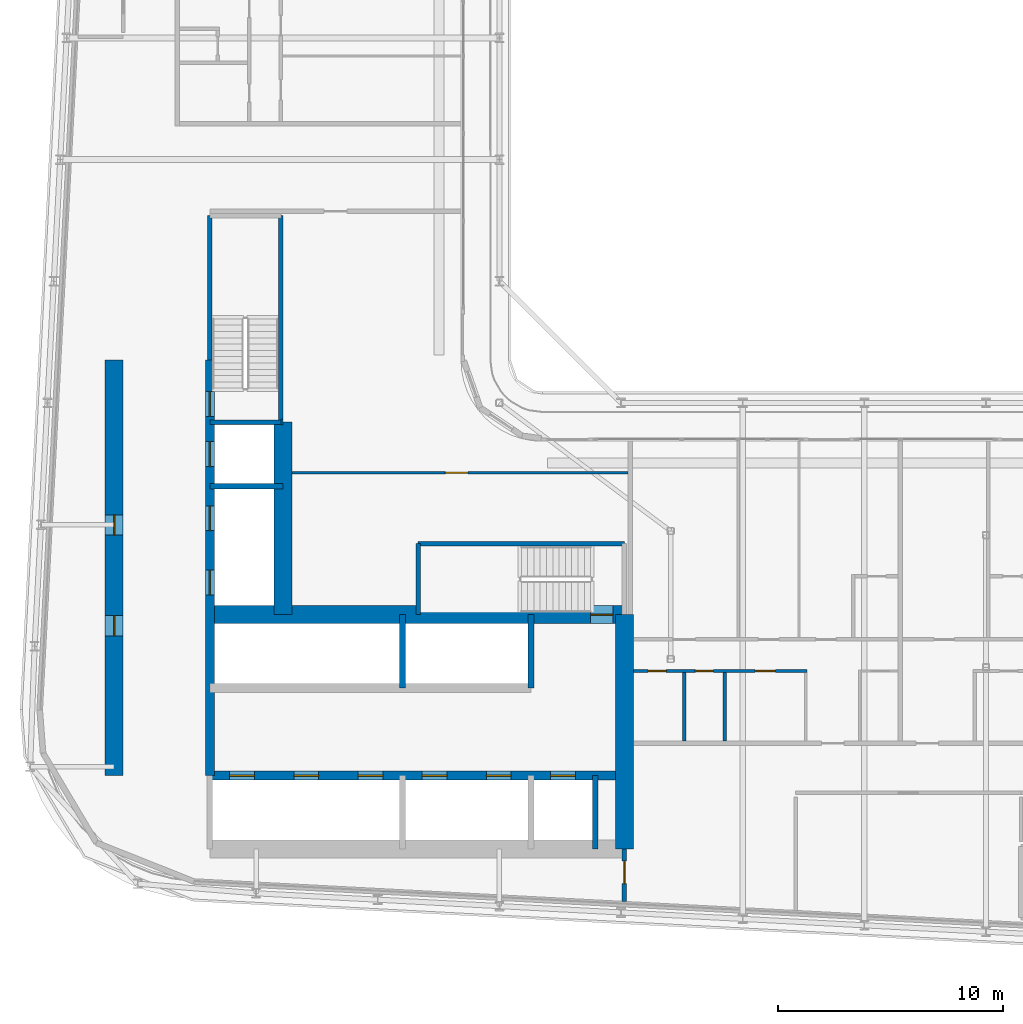
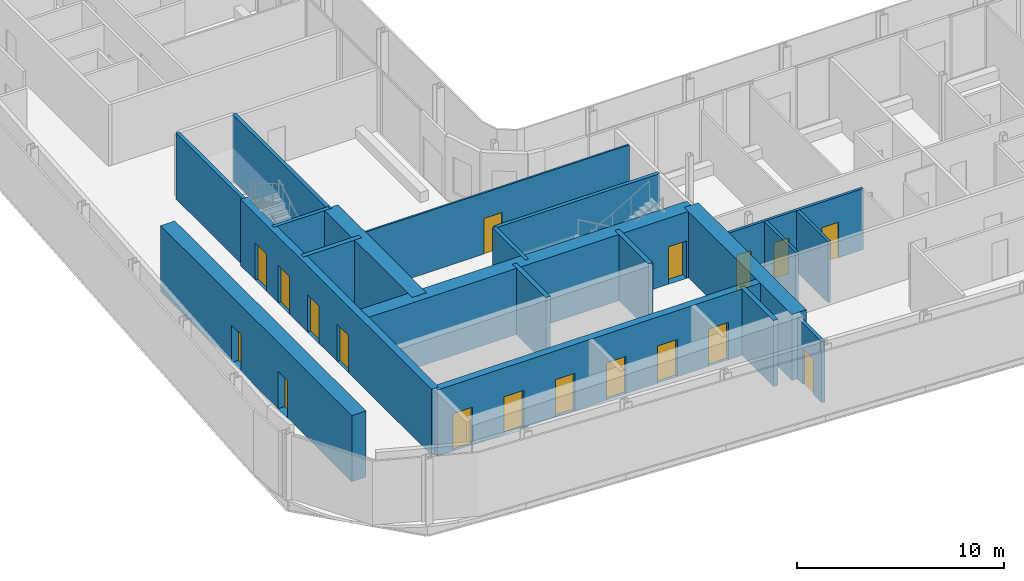
# One storey, part 14 of 29: 21 walls, 18 doors, 18 openings.
"""IFC4 building model written with IfcOpenShell, lengths in metres."""

from ifc_helpers import new_model, si_unit, direction, frame, frame_2d, origin, place, context, subcontext, project, spatial, rectangle, extrude, source, transform, mapped, material, layer, layer_set, type_object, element, fill, save


model = new_model("IFC4")

# Units and contexts
model_context = context("Model", 3, precision=1e-05, world=origin(), true_north=direction((0.0, 1.0)))
body_context = subcontext(model_context, "Body", "Model", "MODEL_VIEW")
ifc_project = project(units=[si_unit("LENGTHUNIT", "METRE"), si_unit("AREAUNIT", "SQUARE_METRE"), si_unit("VOLUMEUNIT", "CUBIC_METRE"), si_unit("PLANEANGLEUNIT", "RADIAN"), si_unit("MASSUNIT", "GRAM", prefix="KILO")], contexts=[model_context])

# Site, building, storey
site_placement = place(None, origin())
site = spatial("IfcSite", under=ifc_project, at=site_placement, CompositionType="ELEMENT")
building_placement = place(site_placement, origin())
building = spatial("IfcBuilding", under=site, at=building_placement, Name="Kheshtan School and Residences Tower", CompositionType="ELEMENT")
storey_placement = place(building_placement, frame((0.0, 0.0, 183.800048828125)))
storey = spatial("IfcBuildingStorey", under=building, at=storey_placement, Name="L43", CompositionType="ELEMENT", Elevation=183.800048828125)

# Wall, openings, doors
ifc_material_1 = material(Name="Concrete C50/60", Category="concrete")
ifc_layer_1 = layer(ifc_material_1, 0.39990234375)
ifc_layer_set_1 = layer_set([ifc_layer_1], Name="Core wall 400 Concrete C50/60")
wall_type_1 = type_object("IfcWallType", Name="Core wall 400 Concrete C50/60", PredefinedType="SHEAR", material=ifc_layer_set_1)
wall_1_placement = place(storey_placement, frame((34.75, 29.050048828125, 0.0), z_axis=(0.0, 0.0, 1.0), x_axis=(1.0, 0.0, 0.0)))
wall_1 = element("IfcWall", 1, at=wall_1_placement, inside=storey, type_object=wall_type_1, Name="Core wall CW-HALL-S1", PredefinedType="SHEAR", context=body_context, shape_type="SweptSolid", body=[
    extrude(rectangle(XDim=18.39990234375, YDim=0.39990234375, at=frame_2d((9.199951171875, 0.0))), origin(), (0.0, 0.0, 1.0), 3.89990234375),
])
opening_1_placement = place(wall_1_placement, frame((0.875, 0.0, 0.0)))
opening_1 = element("IfcOpeningElement", 2, at=opening_1_placement, cuts=wall_1, Name="Opening LD", PredefinedType="OPENING", context=body_context, shape_type="SweptSolid", body=[
    extrude(rectangle(XDim=1.10009765625, YDim=2.199951171875, at=frame_2d((0.550048828125, 1.10009765625))), frame((0.0, 0.2099609375, 0.0), z_axis=(0.0, -1.0, 0.0), x_axis=(1.0, 0.0, 0.0)), (0.0, 0.0, 1.0), 0.419921875),
])
opening_2_placement = place(wall_1_placement, frame((3.72509765625, 0.0, 0.0)))
opening_2 = element("IfcOpeningElement", 3, at=opening_2_placement, cuts=wall_1, Name="Opening LD", PredefinedType="OPENING", context=body_context, shape_type="SweptSolid", body=[
    extrude(rectangle(XDim=1.10009765625, YDim=2.199951171875, at=frame_2d((0.550048828125, 1.10009765625))), frame((0.0, 0.2099609375, 0.0), z_axis=(0.0, -1.0, 0.0), x_axis=(1.0, 0.0, 0.0)), (0.0, 0.0, 1.0), 0.419921875),
])
opening_3_placement = place(wall_1_placement, frame((6.574951171875, 0.0, 0.0)))
opening_3 = element("IfcOpeningElement", 4, at=opening_3_placement, cuts=wall_1, Name="Opening LD", PredefinedType="OPENING", context=body_context, shape_type="SweptSolid", body=[
    extrude(rectangle(XDim=1.10009765625, YDim=2.199951171875, at=frame_2d((0.550048828125, 1.10009765625))), frame((0.0, 0.2099609375, 0.0), z_axis=(0.0, -1.0, 0.0), x_axis=(1.0, 0.0, 0.0)), (0.0, 0.0, 1.0), 0.419921875),
])
opening_4_placement = place(wall_1_placement, frame((9.425048828125, 0.0, 0.0)))
opening_4 = element("IfcOpeningElement", 5, at=opening_4_placement, cuts=wall_1, Name="Opening LD", PredefinedType="OPENING", context=body_context, shape_type="SweptSolid", body=[
    extrude(rectangle(XDim=1.10009765625, YDim=2.199951171875, at=frame_2d((0.550048828125, 1.10009765625))), frame((0.0, 0.2099609375, 0.0), z_axis=(0.0, -1.0, 0.0), x_axis=(1.0, 0.0, 0.0)), (0.0, 0.0, 1.0), 0.419921875),
])
opening_5_placement = place(wall_1_placement, frame((12.27490234375, 0.0, 0.0)))
opening_5 = element("IfcOpeningElement", 6, at=opening_5_placement, cuts=wall_1, Name="Opening LD", PredefinedType="OPENING", context=body_context, shape_type="SweptSolid", body=[
    extrude(rectangle(XDim=1.10009765625, YDim=2.199951171875, at=frame_2d((0.550048828125, 1.10009765625))), frame((0.0, 0.2099609375, 0.0), z_axis=(0.0, -1.0, 0.0), x_axis=(1.0, 0.0, 0.0)), (0.0, 0.0, 1.0), 0.419921875),
])
opening_6_placement = place(wall_1_placement, frame((15.125, 0.0, 0.0)))
opening_6 = element("IfcOpeningElement", 7, at=opening_6_placement, cuts=wall_1, Name="Opening LD", PredefinedType="OPENING", context=body_context, shape_type="SweptSolid", body=[
    extrude(rectangle(XDim=1.10009765625, YDim=2.199951171875, at=frame_2d((0.550048828125, 1.10009765625))), frame((0.0, 0.2099609375, 0.0), z_axis=(0.0, -1.0, 0.0), x_axis=(1.0, 0.0, 0.0)), (0.0, 0.0, 1.0), 0.419921875),
])
ifc_material_2 = material(Name="Stainless steel door leaves", Category="steel")
door_type_1 = type_object("IfcDoorType", Name="Lift landing door 1100", OperationType="SLIDING_TO_LEFT", PredefinedType="DOOR", material=ifc_material_2)
shared_shape_1 = source(origin(), body_context, "Body", "SweptSolid", [
    extrude(rectangle(XDim=1.10009765625, YDim=2.199951171875, at=frame_2d((0.550048828125, 1.10009765625))), frame((0.0, 0.02490234375, 0.0), z_axis=(0.0, -1.0, 0.0), x_axis=(1.0, 0.0, 0.0)), (0.0, 0.0, 1.0), 0.050048828125),
])
door_1_placement = place(opening_1_placement, origin())
door_1 = element("IfcDoor", 8, at=door_1_placement, inside=storey, type_object=door_type_1, Name="Lift P7 landing door", OperationType="SLIDING_TO_LEFT", OverallHeight=2.199951171875, OverallWidth=1.10009765625, PredefinedType="DOOR", context=body_context, shape_type="MappedRepresentation", body=[
    mapped(shared_shape_1, transform((0.0, 0.0, 0.0), x_axis=(1.0, 0.0, 0.0), y_axis=(0.0, 1.0, 0.0), z_axis=(0.0, 0.0, 1.0), scale=1.0)),
])
fill(opening_1, door_1)
door_2_placement = place(opening_2_placement, origin())
door_2 = element("IfcDoor", 9, at=door_2_placement, inside=storey, type_object=door_type_1, Name="Lift P8 landing door", OperationType="SLIDING_TO_LEFT", OverallHeight=2.199951171875, OverallWidth=1.10009765625, PredefinedType="DOOR", context=body_context, shape_type="MappedRepresentation", body=[
    mapped(shared_shape_1, transform((0.0, 0.0, 0.0), x_axis=(1.0, 0.0, 0.0), y_axis=(0.0, 1.0, 0.0), z_axis=(0.0, 0.0, 1.0), scale=1.0)),
])
fill(opening_2, door_2)
door_3_placement = place(opening_3_placement, origin())
door_3 = element("IfcDoor", 10, at=door_3_placement, inside=storey, type_object=door_type_1, Name="Lift P9 landing door", OperationType="SLIDING_TO_LEFT", OverallHeight=2.199951171875, OverallWidth=1.10009765625, PredefinedType="DOOR", context=body_context, shape_type="MappedRepresentation", body=[
    mapped(shared_shape_1, transform((0.0, 0.0, 0.0), x_axis=(1.0, 0.0, 0.0), y_axis=(0.0, 1.0, 0.0), z_axis=(0.0, 0.0, 1.0), scale=1.0)),
])
fill(opening_3, door_3)
door_4_placement = place(opening_4_placement, origin())
door_4 = element("IfcDoor", 11, at=door_4_placement, inside=storey, type_object=door_type_1, Name="Lift P10 landing door", OperationType="SLIDING_TO_LEFT", OverallHeight=2.199951171875, OverallWidth=1.10009765625, PredefinedType="DOOR", context=body_context, shape_type="MappedRepresentation", body=[
    mapped(shared_shape_1, transform((0.0, 0.0, 0.0), x_axis=(1.0, 0.0, 0.0), y_axis=(0.0, 1.0, 0.0), z_axis=(0.0, 0.0, 1.0), scale=1.0)),
])
fill(opening_4, door_4)
door_5_placement = place(opening_5_placement, origin())
door_5 = element("IfcDoor", 12, at=door_5_placement, inside=storey, type_object=door_type_1, Name="Lift P11 landing door", OperationType="SLIDING_TO_LEFT", OverallHeight=2.199951171875, OverallWidth=1.10009765625, PredefinedType="DOOR", context=body_context, shape_type="MappedRepresentation", body=[
    mapped(shared_shape_1, transform((0.0, 0.0, 0.0), x_axis=(1.0, 0.0, 0.0), y_axis=(0.0, 1.0, 0.0), z_axis=(0.0, 0.0, 1.0), scale=1.0)),
])
fill(opening_5, door_5)
door_6_placement = place(opening_6_placement, origin())
door_6 = element("IfcDoor", 13, at=door_6_placement, inside=storey, type_object=door_type_1, Name="Lift FFL2 landing door", OperationType="SLIDING_TO_LEFT", OverallHeight=2.199951171875, OverallWidth=1.10009765625, PredefinedType="DOOR", context=body_context, shape_type="MappedRepresentation", body=[
    mapped(shared_shape_1, transform((0.0, 0.0, 0.0), x_axis=(1.0, 0.0, 0.0), y_axis=(0.0, 1.0, 0.0), z_axis=(0.0, 0.0, 1.0), scale=1.0)),
])
fill(opening_6, door_6)

wall_2_placement = place(storey_placement, frame((34.75, 29.050048828125, 0.0), z_axis=(0.0, 0.0, 1.0), x_axis=(0.0, 1.0, 0.0)))
wall_2 = element("IfcWall", 14, at=wall_2_placement, inside=storey, type_object=wall_type_1, Name="Core wall CW-HALL-W1", PredefinedType="SHEAR", context=body_context, shape_type="SweptSolid", body=[
    extrude(rectangle(XDim=18.449951171875, YDim=0.39990234375, at=frame_2d((9.22509765625, 0.0))), origin(), (0.0, 0.0, 1.0), 3.89990234375),
])
opening_7_placement = place(wall_2_placement, frame((8.02490234375, 0.0, 0.0)))
opening_7 = element("IfcOpeningElement", 15, at=opening_7_placement, cuts=wall_2, Name="Opening LD", PredefinedType="OPENING", context=body_context, shape_type="SweptSolid", body=[
    extrude(rectangle(XDim=1.10009765625, YDim=2.199951171875, at=frame_2d((0.550048828125, 1.10009765625))), frame((0.0, 0.2099609375, 0.0), z_axis=(0.0, -1.0, 0.0), x_axis=(1.0, 0.0, 0.0)), (0.0, 0.0, 1.0), 0.419921875),
])
opening_8_placement = place(wall_2_placement, frame((10.875, 0.0, 0.0)))
opening_8 = element("IfcOpeningElement", 16, at=opening_8_placement, cuts=wall_2, Name="Opening LD", PredefinedType="OPENING", context=body_context, shape_type="SweptSolid", body=[
    extrude(rectangle(XDim=1.10009765625, YDim=2.199951171875, at=frame_2d((0.550048828125, 1.10009765625))), frame((0.0, 0.2099609375, 0.0), z_axis=(0.0, -1.0, 0.0), x_axis=(1.0, 0.0, 0.0)), (0.0, 0.0, 1.0), 0.419921875),
])
opening_9_placement = place(wall_2_placement, frame((13.72509765625, 0.0, 0.0)))
opening_9 = element("IfcOpeningElement", 17, at=opening_9_placement, cuts=wall_2, Name="Opening LD", PredefinedType="OPENING", context=body_context, shape_type="SweptSolid", body=[
    extrude(rectangle(XDim=1.10009765625, YDim=2.199951171875, at=frame_2d((0.550048828125, 1.10009765625))), frame((0.0, 0.2099609375, 0.0), z_axis=(0.0, -1.0, 0.0), x_axis=(1.0, 0.0, 0.0)), (0.0, 0.0, 1.0), 0.419921875),
])
opening_10_placement = place(wall_2_placement, frame((15.949951171875, 0.0, 0.0)))
opening_10 = element("IfcOpeningElement", 18, at=opening_10_placement, cuts=wall_2, Name="Opening ST2D", PredefinedType="OPENING", context=body_context, shape_type="SweptSolid", body=[
    extrude(rectangle(XDim=1.10009765625, YDim=2.199951171875, at=frame_2d((0.550048828125, 1.10009765625))), frame((0.0, 0.2099609375, 0.0), z_axis=(0.0, -1.0, 0.0), x_axis=(1.0, 0.0, 0.0)), (0.0, 0.0, 1.0), 0.419921875),
])
door_7_placement = place(opening_7_placement, origin())
door_7 = element("IfcDoor", 19, at=door_7_placement, inside=storey, type_object=door_type_1, Name="Lift SV1 landing door", OperationType="SLIDING_TO_LEFT", OverallHeight=2.199951171875, OverallWidth=1.10009765625, PredefinedType="DOOR", context=body_context, shape_type="MappedRepresentation", body=[
    mapped(shared_shape_1, transform((0.0, 0.0, 0.0), x_axis=(1.0, 0.0, 0.0), y_axis=(0.0, 1.0, 0.0), z_axis=(0.0, 0.0, 1.0), scale=1.0)),
])
fill(opening_7, door_7)
door_8_placement = place(opening_8_placement, origin())
door_8 = element("IfcDoor", 20, at=door_8_placement, inside=storey, type_object=door_type_1, Name="Lift SV2 landing door", OperationType="SLIDING_TO_LEFT", OverallHeight=2.199951171875, OverallWidth=1.10009765625, PredefinedType="DOOR", context=body_context, shape_type="MappedRepresentation", body=[
    mapped(shared_shape_1, transform((0.0, 0.0, 0.0), x_axis=(1.0, 0.0, 0.0), y_axis=(0.0, 1.0, 0.0), z_axis=(0.0, 0.0, 1.0), scale=1.0)),
])
fill(opening_8, door_8)
door_9_placement = place(opening_9_placement, origin())
door_9 = element("IfcDoor", 21, at=door_9_placement, inside=storey, type_object=door_type_1, Name="Lift FFL1 landing door", OperationType="SLIDING_TO_LEFT", OverallHeight=2.199951171875, OverallWidth=1.10009765625, PredefinedType="DOOR", context=body_context, shape_type="MappedRepresentation", body=[
    mapped(shared_shape_1, transform((0.0, 0.0, 0.0), x_axis=(1.0, 0.0, 0.0), y_axis=(0.0, 1.0, 0.0), z_axis=(0.0, 0.0, 1.0), scale=1.0)),
])
fill(opening_9, door_9)
ifc_material_3 = material(Name="Steel door leaf, galvanised", Category="steel")
door_type_2 = type_object("IfcDoorType", Name="Stair door 1100 steel 90 min", OperationType="SINGLE_SWING_LEFT", PredefinedType="DOOR", material=ifc_material_3)
shared_shape_2 = source(origin(), body_context, "Body", "SweptSolid", [
    extrude(rectangle(XDim=1.10009765625, YDim=2.199951171875, at=frame_2d((0.550048828125, 1.10009765625))), frame((0.0, 0.02490234375, 0.0), z_axis=(0.0, -1.0, 0.0), x_axis=(1.0, 0.0, 0.0)), (0.0, 0.0, 1.0), 0.050048828125),
])
door_10_placement = place(opening_10_placement, origin())
door_10 = element("IfcDoor", 22, at=door_10_placement, inside=storey, type_object=door_type_2, Name="Stair ST2 door", OperationType="SINGLE_SWING_RIGHT", OverallHeight=2.199951171875, OverallWidth=1.10009765625, PredefinedType="DOOR", context=body_context, shape_type="MappedRepresentation", body=[
    mapped(shared_shape_2, transform((0.0, 0.0, 0.0), x_axis=(1.0, 0.0, 0.0), y_axis=(0.0, 1.0, 0.0), z_axis=(0.0, 0.0, 1.0), scale=1.0)),
])
fill(opening_10, door_10)

# Wall, opening, door
ifc_material_4 = material(Name="Concrete C70/85", Category="concrete")
ifc_layer_2 = layer(ifc_material_4, 0.800048828125)
ifc_layer_set_2 = layer_set([ifc_layer_2], Name="Core wall 800 Concrete C70/85")
wall_type_2 = type_object("IfcWallType", Name="Core wall 800 Concrete C70/85", PredefinedType="SHEAR", material=ifc_layer_set_2)
wall_3_placement = place(storey_placement, frame((34.75, 36.199951171875, 0.0), z_axis=(0.0, 0.0, 1.0), x_axis=(1.0, 0.0, 0.0)))
wall_3 = element("IfcWall", 23, at=wall_3_placement, inside=storey, type_object=wall_type_2, Name="Core wall CW-FRONT-S", PredefinedType="SHEAR", context=body_context, shape_type="SweptSolid", body=[
    extrude(rectangle(XDim=18.39990234375, YDim=0.800048828125, at=frame_2d((9.199951171875, 0.0))), origin(), (0.0, 0.0, 1.0), 3.89990234375),
])
opening_11_placement = place(wall_3_placement, frame((16.89990234375, 0.0, 0.0)))
opening_11 = element("IfcOpeningElement", 24, at=opening_11_placement, cuts=wall_3, Name="Opening ST1D", PredefinedType="OPENING", context=body_context, shape_type="SweptSolid", body=[
    extrude(rectangle(XDim=1.0, YDim=2.199951171875, at=frame_2d((0.5, 1.10009765625))), frame((0.0, 0.41015625, 0.0), z_axis=(0.0, -1.0, 0.0), x_axis=(1.0, 0.0, 0.0)), (0.0, 0.0, 1.0), 0.820068359375),
])
shared_shape_3 = source(origin(), body_context, "Body", "SweptSolid", [
    extrude(rectangle(XDim=1.0, YDim=2.199951171875, at=frame_2d((0.5, 1.10009765625))), frame((0.0, 0.02490234375, 0.0), z_axis=(0.0, -1.0, 0.0), x_axis=(1.0, 0.0, 0.0)), (0.0, 0.0, 1.0), 0.050048828125),
])
door_11_placement = place(opening_11_placement, origin())
door_11 = element("IfcDoor", 25, at=door_11_placement, inside=storey, type_object=door_type_2, Name="Stair ST1 door", OperationType="SINGLE_SWING_RIGHT", OverallHeight=2.199951171875, OverallWidth=1.0, PredefinedType="DOOR", context=body_context, shape_type="MappedRepresentation", body=[
    mapped(shared_shape_3, transform((0.0, 0.0, 0.0), x_axis=(1.0, 0.0, 0.0), y_axis=(0.0, 1.0, 0.0), z_axis=(0.0, 0.0, 1.0), scale=1.0)),
])
fill(opening_11, door_11)

# Wall
wall_4_placement = place(storey_placement, frame((38.0, 36.199951171875, 0.0), z_axis=(0.0, 0.0, 1.0), x_axis=(0.0, 1.0, 0.0)))
element("IfcWall", 26, at=wall_4_placement, inside=storey, type_object=wall_type_2, Name="Core wall CW-FRONT-W", PredefinedType="SHEAR", context=body_context, shape_type="SweptSolid", body=[
    extrude(rectangle(XDim=8.550048828125, YDim=0.800048828125, at=frame_2d((4.27490234375, 0.0))), origin(), (0.0, 0.0, 1.0), 3.89990234375),
])

# Wall, openings, doors
wall_5_placement = place(storey_placement, frame((30.5, 29.050048828125, 0.0), z_axis=(0.0, 0.0, 1.0), x_axis=(0.0, 1.0, 0.0)))
wall_5 = element("IfcWall", 27, at=wall_5_placement, inside=storey, type_object=wall_type_2, Name="Core wall CW-REAR-W", PredefinedType="SHEAR", context=body_context, shape_type="SweptSolid", body=[
    extrude(rectangle(XDim=18.449951171875, YDim=0.800048828125, at=frame_2d((9.22509765625, 0.0))), origin(), (0.0, 0.0, 1.0), 3.89990234375),
])
opening_12_placement = place(wall_5_placement, frame((6.2099609375, 0.0, 0.0)))
opening_12 = element("IfcOpeningElement", 28, at=opening_12_placement, cuts=wall_5, Name="Opening SR90", PredefinedType="OPENING", context=body_context, shape_type="SweptSolid", body=[
    extrude(rectangle(XDim=0.89990234375, YDim=2.199951171875, at=frame_2d((0.449951171875, 1.10009765625))), frame((0.0, 0.41015625, 0.0), z_axis=(0.0, -1.0, 0.0), x_axis=(1.0, 0.0, 0.0)), (0.0, 0.0, 1.0), 0.820068359375),
])
opening_13_placement = place(wall_5_placement, frame((10.68408203125, 0.0, 0.0)))
opening_13 = element("IfcOpeningElement", 29, at=opening_13_placement, cuts=wall_5, Name="Opening SR90", PredefinedType="OPENING", context=body_context, shape_type="SweptSolid", body=[
    extrude(rectangle(XDim=0.89990234375, YDim=2.199951171875, at=frame_2d((0.449951171875, 1.10009765625))), frame((0.0, 0.41015625, 0.0), z_axis=(0.0, -1.0, 0.0), x_axis=(1.0, 0.0, 0.0)), (0.0, 0.0, 1.0), 0.820068359375),
])
door_type_3 = type_object("IfcDoorType", Name="Service room door 900 steel 90 min", OperationType="SINGLE_SWING_LEFT", PredefinedType="DOOR", material=ifc_material_3)
shared_shape_4 = source(origin(), body_context, "Body", "SweptSolid", [
    extrude(rectangle(XDim=0.89990234375, YDim=2.199951171875, at=frame_2d((0.449951171875, 1.10009765625))), frame((0.0, 0.02490234375, 0.0), z_axis=(0.0, -1.0, 0.0), x_axis=(1.0, 0.0, 0.0)), (0.0, 0.0, 1.0), 0.050048828125),
])
door_12_placement = place(opening_12_placement, origin())
door_12 = element("IfcDoor", 30, at=door_12_placement, inside=storey, type_object=door_type_3, Name="Service room door", OperationType="SINGLE_SWING_RIGHT", OverallHeight=2.199951171875, OverallWidth=0.89990234375, PredefinedType="DOOR", context=body_context, shape_type="MappedRepresentation", body=[
    mapped(shared_shape_4, transform((0.0, 0.0, 0.0), x_axis=(1.0, 0.0, 0.0), y_axis=(0.0, 1.0, 0.0), z_axis=(0.0, 0.0, 1.0), scale=1.0)),
])
fill(opening_12, door_12)
door_13_placement = place(opening_13_placement, origin())
door_13 = element("IfcDoor", 31, at=door_13_placement, inside=storey, type_object=door_type_3, Name="Service room door", OperationType="SINGLE_SWING_LEFT", OverallHeight=2.199951171875, OverallWidth=0.89990234375, PredefinedType="DOOR", context=body_context, shape_type="MappedRepresentation", body=[
    mapped(shared_shape_4, transform((0.0, 0.0, 0.0), x_axis=(1.0, 0.0, 0.0), y_axis=(0.0, 1.0, 0.0), z_axis=(0.0, 0.0, 1.0), scale=1.0)),
])
fill(opening_13, door_13)

# Wall
wall_6_placement = place(storey_placement, frame((53.14990234375, 25.800048828125, 0.0), z_axis=(0.0, 0.0, 1.0), x_axis=(0.0, 1.0, 0.0)))
element("IfcWall", 32, at=wall_6_placement, inside=storey, type_object=wall_type_2, Name="Core wall CW-EAST", PredefinedType="SHEAR", context=body_context, shape_type="SweptSolid", body=[
    extrude(rectangle(XDim=10.39990234375, YDim=0.800048828125, at=frame_2d((5.199951171875, 0.0))), origin(), (0.0, 0.0, 1.0), 3.89990234375),
])

# Wall, opening, door
ifc_material_5 = material(Name="Gypsum board on steel studs with fire boards", Category="steel")
ifc_layer_3 = layer(ifc_material_5, 0.199951171875)
ifc_layer_set_3 = layer_set([ifc_layer_3], Name="Corridor wall 200")
wall_type_3 = type_object("IfcWallType", Name="Corridor wall 200", PredefinedType="PARTITIONING", material=ifc_layer_set_3)
wall_7_placement = place(storey_placement, frame((53.14990234375, 23.47216796875, 0.0), z_axis=(0.0, 0.0, 1.0), x_axis=(0.0, 1.0, 0.0)))
wall_7 = element("IfcWall", 33, at=wall_7_placement, inside=storey, type_object=wall_type_3, Name="Partition L43-033", PredefinedType="PARTITIONING", context=body_context, shape_type="SweptSolid", body=[
    extrude(rectangle(XDim=2.327880859375, YDim=0.199951171875, at=frame_2d((1.1640625, 0.0))), origin(), (0.0, 0.0, 1.0), 3.599853515625),
])
opening_14_placement = place(wall_7_placement, frame((0.784912109375, 0.0, 0.0)))
opening_14 = element("IfcOpeningElement", 34, at=opening_14_placement, cuts=wall_7, Name="Opening D43-054", PredefinedType="OPENING", context=body_context, shape_type="SweptSolid", body=[
    extrude(rectangle(XDim=1.0, YDim=2.10009765625, at=frame_2d((0.5, 1.050048828125))), frame((0.0, 0.10986328125, 0.0), z_axis=(0.0, -1.0, 0.0), x_axis=(1.0, 0.0, 0.0)), (0.0, 0.0, 1.0), 0.219970703125),
])
ifc_material_6 = material(Name="Steel-framed fire-resisting door leaf", Category="steel")
door_type_4 = type_object("IfcDoorType", Name="Fire door FD60 1000 x 2100", OperationType="SINGLE_SWING_LEFT", PredefinedType="DOOR", material=ifc_material_6)
shared_shape_5 = source(origin(), body_context, "Body", "SweptSolid", [
    extrude(rectangle(XDim=1.0, YDim=2.10009765625, at=frame_2d((0.5, 1.050048828125))), frame((0.0, 0.02490234375, 0.0), z_axis=(0.0, -1.0, 0.0), x_axis=(1.0, 0.0, 0.0)), (0.0, 0.0, 1.0), 0.050048828125),
])
door_14_placement = place(opening_14_placement, origin())
door_14 = element("IfcDoor", 35, at=door_14_placement, inside=storey, type_object=door_type_4, Name="Door D43-054", OperationType="SINGLE_SWING_RIGHT", OverallHeight=2.10009765625, OverallWidth=1.0, PredefinedType="DOOR", context=body_context, shape_type="MappedRepresentation", body=[
    mapped(shared_shape_5, transform((0.0, 0.0, 0.0), x_axis=(1.0, 0.0, 0.0), y_axis=(0.0, 1.0, 0.0), z_axis=(0.0, 0.0, 1.0), scale=1.0)),
])
fill(opening_14, door_14)

ifc_material_7 = material(Name="Gypsum board on steel studs", Category="steel")
ifc_layer_4 = layer(ifc_material_7, 0.10009765625)
ifc_layer_set_4 = layer_set([ifc_layer_4], Name="Gypsum partition 100")
wall_type_4 = type_object("IfcWallType", Name="Gypsum partition 100", PredefinedType="PARTITIONING", material=ifc_layer_set_4)
wall_8_placement = place(storey_placement, frame((38.39892578125, 42.5, 0.0), z_axis=(0.0, 0.0, 1.0), x_axis=(1.0, 0.0, 0.0)))
wall_8 = element("IfcWall", 36, at=wall_8_placement, inside=storey, type_object=wall_type_4, Name="Partition L43-031", PredefinedType="PARTITIONING", context=body_context, shape_type="SweptSolid", body=[
    extrude(rectangle(XDim=14.901123046875, YDim=0.10009765625, at=frame_2d((7.45068359375, 0.0))), origin(), (0.0, 0.0, 1.0), 3.599853515625),
])
opening_15_placement = place(wall_8_placement, frame((6.801025390625, 0.0, 0.0)))
opening_15 = element("IfcOpeningElement", 37, at=opening_15_placement, cuts=wall_8, Name="Opening D43-053", PredefinedType="OPENING", context=body_context, shape_type="SweptSolid", body=[
    extrude(rectangle(XDim=1.0, YDim=2.10009765625, at=frame_2d((0.5, 1.050048828125))), frame((0.0, 0.06005859375, 0.0), z_axis=(0.0, -1.0, 0.0), x_axis=(1.0, 0.0, 0.0)), (0.0, 0.0, 1.0), 0.1201171875),
])
ifc_material_8 = material(Name="Veneered timber door leaf", Category="wood")
door_type_5 = type_object("IfcDoorType", Name="Door 1000 x 2100", OperationType="SINGLE_SWING_LEFT", PredefinedType="DOOR", material=ifc_material_8)
shared_shape_6 = source(origin(), body_context, "Body", "SweptSolid", [
    extrude(rectangle(XDim=1.0, YDim=2.10009765625, at=frame_2d((0.5, 1.050048828125))), frame((0.0, 0.02490234375, 0.0), z_axis=(0.0, -1.0, 0.0), x_axis=(1.0, 0.0, 0.0)), (0.0, 0.0, 1.0), 0.050048828125),
])
door_15_placement = place(opening_15_placement, origin())
door_15 = element("IfcDoor", 38, at=door_15_placement, inside=storey, type_object=door_type_5, Name="Door D43-053", OperationType="SINGLE_SWING_LEFT", OverallHeight=2.10009765625, OverallWidth=1.0, PredefinedType="DOOR", context=body_context, shape_type="MappedRepresentation", body=[
    mapped(shared_shape_6, transform((0.0, 0.0, 0.0), x_axis=(1.0, 0.0, 0.0), y_axis=(0.0, 1.0, 0.0), z_axis=(0.0, 0.0, 1.0), scale=1.0)),
])
fill(opening_15, door_15)

# Walls
ifc_material_9 = material(Name="Fire-board shaft wall system")
ifc_layer_5 = layer(ifc_material_9, 0.25)
ifc_layer_set_5 = layer_set([ifc_layer_5], Name="Shaft lining wall 250")
wall_type_5 = type_object("IfcWallType", Name="Shaft lining wall 250", PredefinedType="PARTITIONING", material=ifc_layer_set_5)
for number, where, z_axis, x_axis, name in (
    (39, (43.300048828125, 32.949951171875, 0.0), (0.0, 0.0, 1.0), (0.0, 1.0, 0.0), "Shaft lining wall"),
    (40, (49.0, 32.949951171875, 0.0), (0.0, 0.0, 1.0), (0.0, 1.0, 0.0), "Shaft lining wall"),
    (41, (51.85009765625, 25.800048828125, 0.0), (0.0, 0.0, 1.0), (0.0, 1.0, 0.0), "Shaft lining wall"),
    (42, (34.75, 41.89990234375, 0.0), (0.0, 0.0, 1.0), (1.0, 0.0, 0.0), "Shaft lining wall"),
):
    element("IfcWall", number, at=place(storey_placement, frame(where, z_axis=z_axis, x_axis=x_axis)), inside=storey, type_object=wall_type_5, Name=name, PredefinedType="PARTITIONING", context=body_context, shape_type="SweptSolid", body=[
        extrude(rectangle(XDim=3.25, YDim=0.25, at=frame_2d((1.625, 0.0))), origin(), (0.0, 0.0, 1.0), 3.89990234375),
    ])
wall_9_placement = place(storey_placement, frame((37.89990234375, 44.75, 0.0), z_axis=(0.0, 0.0, 1.0), x_axis=(1.0, 0.0, 0.0)))
element("IfcWall", 43, at=wall_9_placement, inside=storey, type_object=wall_type_5, Name="Shaft lining wall", PredefinedType="PARTITIONING", context=body_context, shape_type="SweptSolid", body=[
    extrude(rectangle(XDim=0.10009765625, YDim=0.25, at=frame_2d((0.050048828125, 0.0))), origin(), (0.0, 0.0, 1.0), 3.89990234375),
])
ifc_material_10 = material(Name="Concrete C40/50", Category="concrete")
ifc_layer_6 = layer(ifc_material_10, 0.199951171875)
ifc_layer_set_6 = layer_set([ifc_layer_6], Name="Stair enclosure wall 200 Concrete C40/50")
wall_type_6 = type_object("IfcWallType", Name="Stair enclosure wall 200 Concrete C40/50", PredefinedType="SHEAR", material=ifc_layer_set_6)
wall_10_placement = place(storey_placement, frame((43.989990234375, 39.35009765625, 0.0), z_axis=(0.0, 0.0, 1.0), x_axis=(1.0, 0.0, 0.0)))
element("IfcWall", 44, at=wall_10_placement, inside=storey, type_object=wall_type_6, Name="Stair enclosure wall ST1", PredefinedType="SHEAR", context=body_context, shape_type="SweptSolid", body=[
    extrude(rectangle(XDim=9.159912109375, YDim=0.199951171875, at=frame_2d((4.580078125, 0.0))), origin(), (0.0, 0.0, 1.0), 3.89990234375),
])
wall_11_placement = place(storey_placement, frame((43.989990234375, 36.199951171875, 0.0), z_axis=(0.0, 0.0, 1.0), x_axis=(0.0, 1.0, 0.0)))
element("IfcWall", 45, at=wall_11_placement, inside=storey, type_object=wall_type_6, Name="Stair enclosure wall ST1", PredefinedType="SHEAR", context=body_context, shape_type="SweptSolid", body=[
    extrude(rectangle(XDim=3.150146484375, YDim=0.199951171875, at=frame_2d((1.5751953125, 0.0))), origin(), (0.0, 0.0, 1.0), 3.89990234375),
])
wall_12_placement = place(storey_placement, frame((34.75, 44.75, 0.0), z_axis=(0.0, 0.0, 1.0), x_axis=(1.0, 0.0, 0.0)))
element("IfcWall", 46, at=wall_12_placement, inside=storey, type_object=wall_type_6, Name="Stair enclosure wall ST2", PredefinedType="SHEAR", context=body_context, shape_type="SweptSolid", body=[
    extrude(rectangle(XDim=3.14990234375, YDim=0.199951171875, at=frame_2d((1.574951171875, 0.0))), origin(), (0.0, 0.0, 1.0), 3.89990234375),
])
wall_13_placement = place(storey_placement, frame((34.75, 47.5, 0.0), z_axis=(0.0, 0.0, 1.0), x_axis=(0.0, 1.0, 0.0)))
element("IfcWall", 47, at=wall_13_placement, inside=storey, type_object=wall_type_6, Name="Stair enclosure wall ST2", PredefinedType="SHEAR", context=body_context, shape_type="SweptSolid", body=[
    extrude(rectangle(XDim=6.409912109375, YDim=0.199951171875, at=frame_2d((3.205078125, 0.0))), origin(), (0.0, 0.0, 1.0), 3.89990234375),
])
wall_14_placement = place(storey_placement, frame((37.89990234375, 44.75, 0.0), z_axis=(0.0, 0.0, 1.0), x_axis=(0.0, 1.0, 0.0)))
element("IfcWall", 48, at=wall_14_placement, inside=storey, type_object=wall_type_6, Name="Stair enclosure wall ST2", PredefinedType="SHEAR", context=body_context, shape_type="SweptSolid", body=[
    extrude(rectangle(XDim=9.159912109375, YDim=0.199951171875, at=frame_2d((4.580078125, 0.0))), origin(), (0.0, 0.0, 1.0), 3.89990234375),
])

# Wall, openings, doors
ifc_material_11 = material(Name="Moisture-resistant gypsum board on steel studs", Category="steel")
ifc_layer_7 = layer(ifc_material_11, 0.14990234375)
ifc_layer_set_7 = layer_set([ifc_layer_7], Name="Wet-room partition 150")
wall_type_7 = type_object("IfcWallType", Name="Wet-room partition 150", PredefinedType="PARTITIONING", material=ifc_layer_set_7)
wall_15_placement = place(storey_placement, frame((53.549072265625, 33.699951171875, 0.0), z_axis=(0.0, 0.0, 1.0), x_axis=(1.0, 0.0, 0.0)))
wall_15 = element("IfcWall", 49, at=wall_15_placement, inside=storey, type_object=wall_type_7, Name="Partition L43-036", PredefinedType="PARTITIONING", context=body_context, shape_type="SweptSolid", body=[
    extrude(rectangle(XDim=7.700927734375, YDim=0.14990234375, at=frame_2d((3.8505859375, 0.0))), origin(), (0.0, 0.0, 1.0), 3.599853515625),
])
opening_16_placement = place(wall_15_placement, frame((0.65087890625, 0.0, 0.0)))
opening_16 = element("IfcOpeningElement", 50, at=opening_16_placement, cuts=wall_15, Name="Opening D43-001", PredefinedType="OPENING", context=body_context, shape_type="SweptSolid", body=[
    extrude(rectangle(XDim=0.800048828125, YDim=2.10009765625, at=frame_2d((0.39990234375, 1.050048828125))), frame((0.0, 0.0849609375, 0.0), z_axis=(0.0, -1.0, 0.0), x_axis=(1.0, 0.0, 0.0)), (0.0, 0.0, 1.0), 0.169921875),
])
opening_17_placement = place(wall_15_placement, frame((5.40087890625, 0.0, 0.0)))
opening_17 = element("IfcOpeningElement", 51, at=opening_17_placement, cuts=wall_15, Name="Opening D43-005", PredefinedType="OPENING", context=body_context, shape_type="SweptSolid", body=[
    extrude(rectangle(XDim=0.89990234375, YDim=2.10009765625, at=frame_2d((0.449951171875, 1.050048828125))), frame((0.0, 0.0849609375, 0.0), z_axis=(0.0, -1.0, 0.0), x_axis=(1.0, 0.0, 0.0)), (0.0, 0.0, 1.0), 0.169921875),
])
opening_18_placement = place(wall_15_placement, frame((2.7509765625, 0.0, 0.0)))
opening_18 = element("IfcOpeningElement", 52, at=opening_18_placement, cuts=wall_15, Name="Opening D43-009", PredefinedType="OPENING", context=body_context, shape_type="SweptSolid", body=[
    extrude(rectangle(XDim=0.800048828125, YDim=2.10009765625, at=frame_2d((0.39990234375, 1.050048828125))), frame((0.0, 0.0849609375, 0.0), z_axis=(0.0, -1.0, 0.0), x_axis=(1.0, 0.0, 0.0)), (0.0, 0.0, 1.0), 0.169921875),
])
door_type_6 = type_object("IfcDoorType", Name="Door 800 x 2100", OperationType="SINGLE_SWING_LEFT", PredefinedType="DOOR", material=ifc_material_8)
shared_shape_7 = source(origin(), body_context, "Body", "SweptSolid", [
    extrude(rectangle(XDim=0.800048828125, YDim=2.10009765625, at=frame_2d((0.39990234375, 1.050048828125))), frame((0.0, 0.02490234375, 0.0), z_axis=(0.0, -1.0, 0.0), x_axis=(1.0, 0.0, 0.0)), (0.0, 0.0, 1.0), 0.050048828125),
])
door_16_placement = place(opening_16_placement, origin())
door_16 = element("IfcDoor", 53, at=door_16_placement, inside=storey, type_object=door_type_6, Name="Door D43-001", OperationType="SINGLE_SWING_RIGHT", OverallHeight=2.10009765625, OverallWidth=0.800048828125, PredefinedType="DOOR", context=body_context, shape_type="MappedRepresentation", body=[
    mapped(shared_shape_7, transform((0.0, 0.0, 0.0), x_axis=(1.0, 0.0, 0.0), y_axis=(0.0, 1.0, 0.0), z_axis=(0.0, 0.0, 1.0), scale=1.0)),
])
fill(opening_16, door_16)
door_17_placement = place(opening_18_placement, origin())
door_17 = element("IfcDoor", 54, at=door_17_placement, inside=storey, type_object=door_type_6, Name="Door D43-009", OperationType="SINGLE_SWING_LEFT", OverallHeight=2.10009765625, OverallWidth=0.800048828125, PredefinedType="DOOR", context=body_context, shape_type="MappedRepresentation", body=[
    mapped(shared_shape_7, transform((0.0, 0.0, 0.0), x_axis=(1.0, 0.0, 0.0), y_axis=(0.0, 1.0, 0.0), z_axis=(0.0, 0.0, 1.0), scale=1.0)),
])
fill(opening_18, door_17)
door_type_7 = type_object("IfcDoorType", Name="Door 900 x 2100", OperationType="SINGLE_SWING_LEFT", PredefinedType="DOOR", material=ifc_material_8)
shared_shape_8 = source(origin(), body_context, "Body", "SweptSolid", [
    extrude(rectangle(XDim=0.89990234375, YDim=2.10009765625, at=frame_2d((0.449951171875, 1.050048828125))), frame((0.0, 0.02490234375, 0.0), z_axis=(0.0, -1.0, 0.0), x_axis=(1.0, 0.0, 0.0)), (0.0, 0.0, 1.0), 0.050048828125),
])
door_18_placement = place(opening_17_placement, origin())
door_18 = element("IfcDoor", 55, at=door_18_placement, inside=storey, type_object=door_type_7, Name="Door D43-005", OperationType="SINGLE_SWING_LEFT", OverallHeight=2.10009765625, OverallWidth=0.89990234375, PredefinedType="DOOR", context=body_context, shape_type="MappedRepresentation", body=[
    mapped(shared_shape_8, transform((0.0, 0.0, 0.0), x_axis=(1.0, 0.0, 0.0), y_axis=(0.0, 1.0, 0.0), z_axis=(0.0, 0.0, 1.0), scale=1.0)),
])
fill(opening_17, door_18)

# Walls
for number, where, z_axis, x_axis, name in (
    (56, (55.800048828125, 30.60009765625, 0.0), (0.0, 0.0, 1.0), (0.0, 1.0, 0.0), "Partition L43-038"),
    (57, (57.60009765625, 30.60009765625, 0.0), (0.0, 0.0, 1.0), (0.0, 1.0, 0.0), "Partition L43-039"),
):
    element("IfcWall", number, at=place(storey_placement, frame(where, z_axis=z_axis, x_axis=x_axis)), inside=storey, type_object=wall_type_7, Name=name, PredefinedType="PARTITIONING", context=body_context, shape_type="SweptSolid", body=[
        extrude(rectangle(XDim=3.02490234375, YDim=0.14990234375, at=frame_2d((1.512451171875, 0.0))), origin(), (0.0, 0.0, 1.0), 3.599853515625),
    ])

save(model, "model.ifc")
